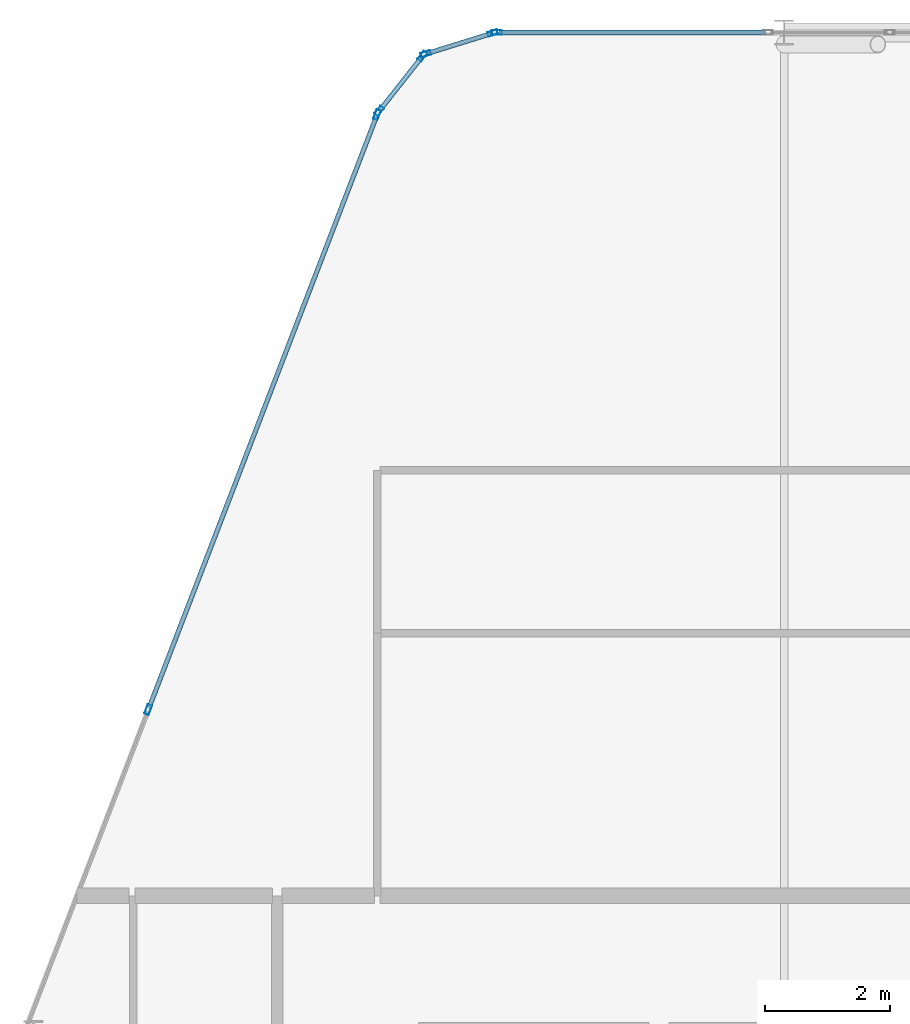
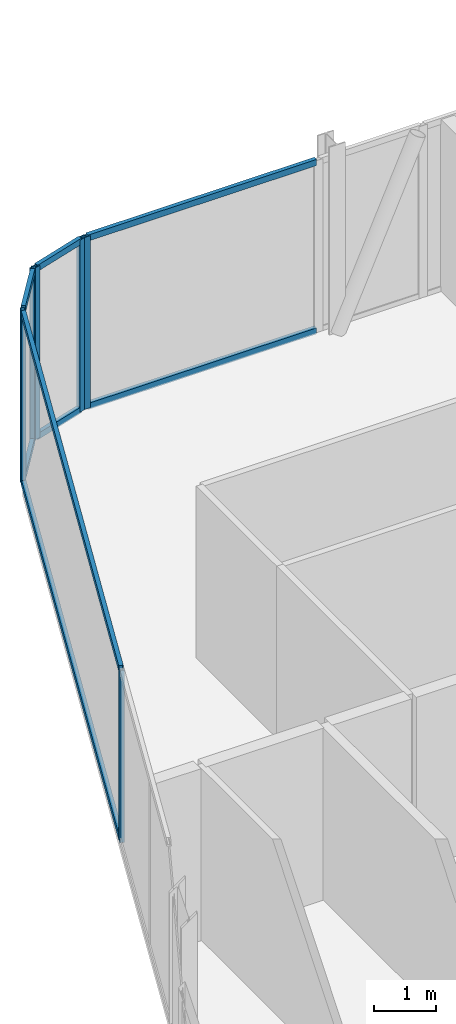
# One storey, part 15 of 27: 15 members, 4 elements without a shape of their own.
"""IFC4 building model written with IfcOpenShell, lengths in metres."""

import ifcopenshell
import ifcopenshell.guid

model = None  # the IFC model being written
_history = None  # IfcOwnerHistory: only IFC2X3 demands one
_inside = {}  # id of a spatial element -> (the spatial element, [elements in it])
_under = {}  # id of a project, library or spatial element -> (it, [spatial elements below it])
_declared = {}  # id of a project -> (the project, [libraries it declares])
_typed = {}  # id of a type object -> (the type object, [elements of that type])
_made_of = {}  # id of a material, layer set ... -> (it, [elements and type objects made of it])


def new_model(schema):
    """Start an empty IFC model of exactly this schema.

    Asked for "IFC4X3", IfcOpenShell would pick the latest addendum, in which some entities
    have other attributes; the version numbers below select the first issue.
    IFC2X3 requires an IfcOwnerHistory on every rooted entity: one is made here for all.
    """
    global model, _history
    if schema == "IFC4X3":
        model = ifcopenshell.file(schema_version=(4, 3, 0, 0))
    else:
        model = ifcopenshell.file(schema=schema)
    _inside.clear()
    _under.clear()
    _declared.clear()
    _typed.clear()
    _made_of.clear()
    _history = None
    if model.schema == "IFC2X3":
        org = make("IfcOrganization", Name="unknown")
        user = make(
            "IfcPersonAndOrganization",
            ThePerson=make("IfcPerson", FamilyName="unknown"),
            TheOrganization=org,
        )
        app = make(
            "IfcApplication",
            ApplicationDeveloper=org,
            Version="unknown",
            ApplicationFullName="unknown",
            ApplicationIdentifier="unknown",
        )
        _history = make(
            "IfcOwnerHistory",
            OwningUser=user,
            OwningApplication=app,
            ChangeAction="ADDED",
            CreationDate=0,
        )
    return model


def make(cls, **values):
    """One entity of the class cls with the attributes given. An attribute that is None is left unset."""
    return model.create_entity(
        cls, **{name: value for name, value in values.items() if value is not None}
    )


def rooted(cls, **values):
    """An entity with a GlobalId (a new one), such as an element, a storey or a relation."""
    return make(cls, GlobalId=ifcopenshell.guid.new(), OwnerHistory=_history, **values)


def si_unit(unit_type, name, prefix=None):
    """IfcSIUnit, for example si_unit("LENGTHUNIT", "METRE", prefix="MILLI")."""
    return make("IfcSIUnit", UnitType=unit_type, Prefix=prefix, Name=name)


def assignment(units):
    """IfcUnitAssignment: the units of a project."""
    return None if units is None else make("IfcUnitAssignment", Units=units)


def point(xyz):
    """IfcCartesianPoint."""
    return None if xyz is None else make("IfcCartesianPoint", Coordinates=xyz)


def direction(xyz):
    """IfcDirection."""
    return None if xyz is None else make("IfcDirection", DirectionRatios=xyz)


def frame(location, z_axis=None, x_axis=None):
    """IfcAxis2Placement3D, a coordinate frame: its origin and axes. An axis left out is left unset."""
    return make(
        "IfcAxis2Placement3D",
        Location=point(location),
        Axis=direction(z_axis),
        RefDirection=direction(x_axis),
    )


def frame_2d(location, x_axis=None):
    """IfcAxis2Placement2D, a coordinate frame in the plane: its origin and x axis."""
    return make(
        "IfcAxis2Placement2D", Location=point(location), RefDirection=direction(x_axis)
    )


def origin():
    """The frame at (0, 0, 0) with its axes left unset."""
    return frame((0.0, 0.0, 0.0))


def origin_2d():
    """The frame at (0, 0) in the plane with its x axis left unset."""
    return frame_2d((0.0, 0.0))


def place(relative_to, where):
    """IfcLocalPlacement: puts the frame where relative to a parent placement (None: the world)."""
    return make(
        "IfcLocalPlacement", PlacementRelTo=relative_to, RelativePlacement=where
    )


def context(
    kind, dimensions, precision=None, world=None, true_north=None, identifier=None
):
    """IfcGeometricRepresentationContext, for example the 3D "Model" context."""
    return make(
        "IfcGeometricRepresentationContext",
        ContextIdentifier=identifier,
        ContextType=kind,
        CoordinateSpaceDimension=dimensions,
        Precision=precision,
        WorldCoordinateSystem=world,
        TrueNorth=true_north,
    )


def subcontext(parent, identifier, kind, view, scale=None):
    """IfcGeometricRepresentationSubContext, for example "Body" below "Model"."""
    return make(
        "IfcGeometricRepresentationSubContext",
        ContextIdentifier=identifier,
        ContextType=kind,
        ParentContext=parent,
        TargetScale=scale,
        TargetView=view,
    )


def project(units=None, contexts=None):
    """IfcProject with its units and contexts."""
    return rooted(
        "IfcProject",
        Name="project",
        RepresentationContexts=contexts,
        UnitsInContext=assignment(units),
    )


def spatial(cls, under=None, at=None, **own):
    """A site, building, storey or space (cls), placed at a placement, below another one or the project."""
    s = rooted(cls, ObjectPlacement=at, **own)
    if under is not None:
        _under.setdefault(under.id(), (under, []))[1].append(s)
    return s


def profile(cls, at=None, kind="AREA", **sizes):
    """A parametric profile (cls). Its sizes go by their IFC names, for example OverallWidth=200.0."""
    return make(cls, ProfileType=kind, Position=at, **sizes)


def hollow_rectangle(**sizes):
    """IfcRectangleHollowProfileDef."""
    return profile("IfcRectangleHollowProfileDef", **sizes)


def extrude(swept, where, along, depth):
    """IfcExtrudedAreaSolid: the profile swept, set in the frame where, extruded along a direction by depth."""
    return make(
        "IfcExtrudedAreaSolid",
        SweptArea=swept,
        Position=where,
        ExtrudedDirection=direction(along),
        Depth=depth,
    )


def shape(context_of_items, identifier, shape_type, items):
    """IfcShapeRepresentation: the items that make up one representation, for example the "Body"."""
    return make(
        "IfcShapeRepresentation",
        ContextOfItems=context_of_items,
        RepresentationIdentifier=identifier,
        RepresentationType=shape_type,
        Items=items,
    )


def material(Name=None, Category=None):
    """IfcMaterial."""
    return make("IfcMaterial", Name=Name, Category=Category)


def layer(
    of_material, thickness, ventilated=None, Name=None, Category=None, Priority=None
):
    """IfcMaterialLayer: one layer of a wall or slab, of a material (None: an air gap)."""
    return make(
        "IfcMaterialLayer",
        Material=of_material,
        LayerThickness=thickness,
        IsVentilated=ventilated,
        Name=Name,
        Category=Category,
        Priority=Priority,
    )


def layer_set(layers, Name=None):
    """IfcMaterialLayerSet."""
    return make("IfcMaterialLayerSet", MaterialLayers=layers, LayerSetName=Name)


def material_profile(
    of_material, cross_section, Name=None, Category=None, Priority=None
):
    """IfcMaterialProfile: a cross section and its material."""
    return make(
        "IfcMaterialProfile",
        Name=Name,
        Material=of_material,
        Profile=cross_section,
        Priority=Priority,
        Category=Category,
    )


def profile_set(profiles, Name=None, composite=None):
    """IfcMaterialProfileSet."""
    return make(
        "IfcMaterialProfileSet",
        Name=Name,
        MaterialProfiles=profiles,
        CompositeProfile=composite,
    )


def made_of(thing, what):
    """Note that an element or type object is made of a material, layer set ...; save() writes the relation."""
    if what is not None:
        _made_of.setdefault(what.id(), (what, []))[1].append(thing)
    return thing


def type_object(cls, material=None, **own):
    """A type object (cls), such as IfcWallType, which elements share."""
    return made_of(rooted(cls, **own), material)


def element(
    cls,
    number,
    at=None,
    inside=None,
    cuts=None,
    type_object=None,
    material=None,
    context=None,
    identifier="Body",
    shape_type=None,
    held_by="IfcProductDefinitionShape",
    body=None,
    shapes=None,
    **own,
):
    """One element of the class cls, such as IfcWall. Its Tag is "e" and its number.

    at: its placement. inside: the storey or other place that contains it. cuts: it is an
    opening in that element (IfcRelVoidsElement). A single representation is given by context,
    identifier, shape_type and body (its items); several are given by shapes. held_by: the class
    of the entity that holds the representations. save() writes the other relations.
    """
    e = rooted(cls, Tag="e%d" % number, ObjectPlacement=at, **own)
    if body is not None:
        shapes = [shape(context, identifier, shape_type, body)]
    if shapes is not None:
        e.Representation = make(held_by, Representations=shapes)
    if inside is not None:
        _inside.setdefault(inside.id(), (inside, []))[1].append(e)
    if cuts is not None:
        rooted(
            "IfcRelVoidsElement", RelatingBuildingElement=cuts, RelatedOpeningElement=e
        )
    if type_object is not None:
        _typed.setdefault(type_object.id(), (type_object, []))[1].append(e)
    return made_of(e, material)


def aggregate(whole, parts):
    """IfcRelAggregates: a whole, such as a stair, and the parts it consists of."""
    return rooted("IfcRelAggregates", RelatingObject=whole, RelatedObjects=parts)


def save(model, path):
    """Write the relations noted so far, then the file.

    IfcRelAggregates (storeys below a building ...), IfcRelContainedInSpatialStructure (elements
    in a storey), IfcRelDefinesByType, IfcRelAssociatesMaterial and IfcRelDeclares: one each for
    every whole, place, type object, material and project.
    """
    for whole, parts in _under.values():
        aggregate(whole, parts)
    for where, things in _inside.values():
        rooted(
            "IfcRelContainedInSpatialStructure",
            RelatedElements=things,
            RelatingStructure=where,
        )
    for kind, things in _typed.values():
        rooted("IfcRelDefinesByType", RelatedObjects=things, RelatingType=kind)
    for what, things in _made_of.values():
        rooted("IfcRelAssociatesMaterial", RelatedObjects=things, RelatingMaterial=what)
    for by, libraries in _declared.values():
        rooted("IfcRelDeclares", RelatingContext=by, RelatedDefinitions=libraries)
    model.write(path)


model = new_model("IFC4")

# Units and contexts
model_context = context("Model", 3, precision=1e-05, world=origin(), true_north=direction((0.0, 1.0)))
body_context = subcontext(model_context, "Body", "Model", "MODEL_VIEW")
ifc_project = project(units=[si_unit("LENGTHUNIT", "METRE"), si_unit("AREAUNIT", "SQUARE_METRE"), si_unit("VOLUMEUNIT", "CUBIC_METRE"), si_unit("PLANEANGLEUNIT", "RADIAN"), si_unit("MASSUNIT", "GRAM", prefix="KILO")], contexts=[model_context])

# Site, building, storey
site_placement = place(None, origin())
site = spatial("IfcSite", under=ifc_project, at=site_placement, CompositionType="ELEMENT")
building_placement = place(site_placement, origin())
building = spatial("IfcBuilding", under=site, at=building_placement, Name="Keshet Zoharim Tower", CompositionType="ELEMENT")
storey_placement = place(building_placement, frame((0.0, 0.0, 307.300048828125)))
storey = spatial("IfcBuildingStorey", under=building, at=storey_placement, Name="L77", CompositionType="ELEMENT", Elevation=307.300048828125)

# Curtain wall, members
ifc_material = material(Name="Aluminium 6063-T6", Category="aluminium")
ifc_layer = layer(ifc_material, 0.260009765625)
ifc_layer_set = layer_set([ifc_layer], Name="Aluminium 6063-T6")
curtain_wall_type = type_object("IfcCurtainWallType", Name="CW-SYS-06", PredefinedType="NOTDEFINED", material=ifc_layer_set)
curtain_wall_1_placement = place(storey_placement, origin())
curtain_wall_1 = element("IfcCurtainWall", 1, at=curtain_wall_1_placement, inside=storey, type_object=curtain_wall_type, Name="L77 Unitised Curtain Wall 03", PredefinedType="NOTDEFINED")
ifc_material_profile_1 = material_profile(ifc_material, hollow_rectangle(XDim=0.074951171875, YDim=0.159912109375, WallThickness=0.00390625, at=origin_2d()), Name="MUL-75x160")
ifc_profile_set_1 = profile_set([ifc_material_profile_1], Name="Aluminium 6063-T6")
member_type_1 = type_object("IfcMemberType", Name="CWM-M15", PredefinedType="MULLION", material=ifc_profile_set_1)
member_1_placement = place(storey_placement, frame((10.8369140625, 43.076416015625, 0.0), z_axis=(0.0, 0.0, 1.0), x_axis=(-0.933341404361, 0.358990003907, 0.0)))
member_1 = element("IfcMember", 2, at=member_1_placement, type_object=member_type_1, Name="CW-06 mullion 3", PredefinedType="MULLION", context=body_context, shape_type="SweptSolid", body=[
    extrude(hollow_rectangle(XDim=0.074951171875, YDim=0.159912109375, WallThickness=0.00390625, at=origin_2d()), origin(), (0.0, 0.0, 1.0), 3.389892578125),
])
member_2_placement = place(storey_placement, frame((14.494384765625, 52.58544921875, 0.0), z_axis=(0.0, 0.0, 1.0), x_axis=(-0.933341404361, 0.358990003907, 0.0)))
member_2 = element("IfcMember", 3, at=member_2_placement, type_object=member_type_1, Name="CW-06 mullion 4", PredefinedType="MULLION", context=body_context, shape_type="SweptSolid", body=[
    extrude(hollow_rectangle(XDim=0.074951171875, YDim=0.159912109375, WallThickness=0.00390625, at=origin_2d()), origin(), (0.0, 0.0, 1.0), 3.389892578125),
])

curtain_wall_2_placement = place(storey_placement, origin())
curtain_wall_2 = element("IfcCurtainWall", 4, at=curtain_wall_2_placement, inside=storey, type_object=curtain_wall_type, Name="L77 Unitised Curtain Wall 04", PredefinedType="NOTDEFINED")
member_3_placement = place(storey_placement, frame((14.528564453125, 52.6455078125, 0.0), z_axis=(0.0, 0.0, 1.0), x_axis=(-0.785292825205, 0.619124525989, 0.0)))
member_3 = element("IfcMember", 5, at=member_3_placement, type_object=member_type_1, Name="CW-06 mullion 1", PredefinedType="MULLION", context=body_context, shape_type="SweptSolid", body=[
    extrude(hollow_rectangle(XDim=0.074951171875, YDim=0.159912109375, WallThickness=0.00390625, at=origin_2d()), origin(), (0.0, 0.0, 1.0), 3.389892578125),
])
member_4_placement = place(storey_placement, frame((15.21923828125, 53.521484375, 0.0), z_axis=(0.0, 0.0, 1.0), x_axis=(-0.785292825205, 0.619124525989, 0.0)))
member_4 = element("IfcMember", 6, at=member_4_placement, type_object=member_type_1, Name="CW-06 mullion 2", PredefinedType="MULLION", context=body_context, shape_type="SweptSolid", body=[
    extrude(hollow_rectangle(XDim=0.074951171875, YDim=0.159912109375, WallThickness=0.00390625, at=origin_2d()), origin(), (0.0, 0.0, 1.0), 3.389892578125),
])

curtain_wall_3_placement = place(storey_placement, origin())
curtain_wall_3 = element("IfcCurtainWall", 7, at=curtain_wall_3_placement, inside=storey, type_object=curtain_wall_type, Name="L77 Unitised Curtain Wall 05", PredefinedType="NOTDEFINED")
member_5_placement = place(storey_placement, frame((15.2744140625, 53.559326171875, 0.0), z_axis=(0.0, 0.0, 1.0), x_axis=(-0.295921857984, 0.955212151288, 0.0)))
member_5 = element("IfcMember", 8, at=member_5_placement, type_object=member_type_1, Name="CW-06 mullion 1", PredefinedType="MULLION", context=body_context, shape_type="SweptSolid", body=[
    extrude(hollow_rectangle(XDim=0.074951171875, YDim=0.159912109375, WallThickness=0.00390625, at=origin_2d()), origin(), (0.0, 0.0, 1.0), 3.389892578125),
])
member_6_placement = place(storey_placement, frame((16.340576171875, 53.8896484375, 0.0), z_axis=(0.0, 0.0, 1.0), x_axis=(-0.295921857984, 0.955212151288, 0.0)))
member_6 = element("IfcMember", 9, at=member_6_placement, type_object=member_type_1, Name="CW-06 mullion 2", PredefinedType="MULLION", context=body_context, shape_type="SweptSolid", body=[
    extrude(hollow_rectangle(XDim=0.074951171875, YDim=0.159912109375, WallThickness=0.00390625, at=origin_2d()), origin(), (0.0, 0.0, 1.0), 3.389892578125),
])

# Curtain wall, member
curtain_wall_4_placement = place(storey_placement, origin())
curtain_wall_4 = element("IfcCurtainWall", 10, at=curtain_wall_4_placement, inside=storey, type_object=curtain_wall_type, Name="L77 Unitised Curtain Wall 06", PredefinedType="NOTDEFINED")
member_7_placement = place(storey_placement, frame((16.408935546875, 53.89990234375, 0.0), z_axis=(0.0, 0.0, 1.0), x_axis=(0.0, 1.0, 0.0)))
member_7 = element("IfcMember", 11, at=member_7_placement, type_object=member_type_1, Name="CW-06 mullion 1", PredefinedType="MULLION", context=body_context, shape_type="SweptSolid", body=[
    extrude(hollow_rectangle(XDim=0.074951171875, YDim=0.159912109375, WallThickness=0.00390625, at=origin_2d()), origin(), (0.0, 0.0, 1.0), 3.389892578125),
])

# Member
ifc_material_profile_2 = material_profile(ifc_material, hollow_rectangle(XDim=0.074951171875, YDim=0.1201171875, WallThickness=0.00390625, at=origin_2d()), Name="TRN-75x120")
ifc_profile_set_2 = profile_set([ifc_material_profile_2], Name="Aluminium 6063-T6")
member_type_2 = type_object("IfcMemberType", Name="CWT-T12", PredefinedType="USERDEFINED", material=ifc_profile_set_2)
member_8_placement = place(storey_placement, frame((10.849609375, 43.10888671875, 0.034912109375), z_axis=(0.358985546764, 0.933343118694, 0.0), x_axis=(-0.933343118694, 0.358985546764, 0.0)))
member_8 = element("IfcMember", 12, at=member_8_placement, type_object=member_type_2, Name="CW-06 transom 3.1", ObjectType="TRANSOM", PredefinedType="USERDEFINED", context=body_context, shape_type="SweptSolid", body=[
    extrude(hollow_rectangle(XDim=0.074951171875, YDim=0.1201171875, WallThickness=0.00390625, at=origin_2d()), origin(), (0.0, 0.0, 1.0), 10.118408203125),
])

member_9_placement = place(storey_placement, frame((10.849609375, 43.10888671875, 3.35498046875), z_axis=(0.358985546764, 0.933343118694, 0.0), x_axis=(-0.933343118694, 0.358985546764, 0.0)))
member_9 = element("IfcMember", 13, at=member_9_placement, type_object=member_type_2, Name="CW-06 transom 3.2", ObjectType="TRANSOM", PredefinedType="USERDEFINED", context=body_context, shape_type="SweptSolid", body=[
    extrude(hollow_rectangle(XDim=0.074951171875, YDim=0.1201171875, WallThickness=0.00390625, at=origin_2d()), origin(), (0.0, 0.0, 1.0), 10.118408203125),
])

aggregate(curtain_wall_1, [member_1, member_2, member_8, member_9])

member_10_placement = place(storey_placement, frame((14.55029296875, 52.6728515625, 0.034912109375), z_axis=(0.619099165969, 0.78531281837, 0.0), x_axis=(-0.78531281837, 0.619099165969, 0.0)))
member_10 = element("IfcMember", 14, at=member_10_placement, type_object=member_type_2, Name="CW-06 transom 1.1", ObjectType="TRANSOM", PredefinedType="USERDEFINED", context=body_context, shape_type="SweptSolid", body=[
    extrude(hollow_rectangle(XDim=0.074951171875, YDim=0.1201171875, WallThickness=0.00390625, at=origin_2d()), origin(), (0.0, 0.0, 1.0), 1.0458984375),
])

member_11_placement = place(storey_placement, frame((14.55029296875, 52.6728515625, 3.35498046875), z_axis=(0.619099165969, 0.78531281837, 0.0), x_axis=(-0.78531281837, 0.619099165969, 0.0)))
member_11 = element("IfcMember", 15, at=member_11_placement, type_object=member_type_2, Name="CW-06 transom 1.2", ObjectType="TRANSOM", PredefinedType="USERDEFINED", context=body_context, shape_type="SweptSolid", body=[
    extrude(hollow_rectangle(XDim=0.074951171875, YDim=0.1201171875, WallThickness=0.00390625, at=origin_2d()), origin(), (0.0, 0.0, 1.0), 1.0458984375),
])

aggregate(curtain_wall_2, [member_3, member_4, member_10, member_11])

member_12_placement = place(storey_placement, frame((15.307861328125, 53.56982421875, 0.034912109375), z_axis=(0.955212093062, 0.295922045933, 0.0), x_axis=(-0.295922045933, 0.955212093062, 0.0)))
member_12 = element("IfcMember", 16, at=member_12_placement, type_object=member_type_2, Name="CW-06 transom 1.1", ObjectType="TRANSOM", PredefinedType="USERDEFINED", context=body_context, shape_type="SweptSolid", body=[
    extrude(hollow_rectangle(XDim=0.074951171875, YDim=0.1201171875, WallThickness=0.00390625, at=origin_2d()), origin(), (0.0, 0.0, 1.0), 1.046142578125),
])

member_13_placement = place(storey_placement, frame((15.307861328125, 53.56982421875, 3.35498046875), z_axis=(0.955212093062, 0.295922045933, 0.0), x_axis=(-0.295922045933, 0.955212093062, 0.0)))
member_13 = element("IfcMember", 17, at=member_13_placement, type_object=member_type_2, Name="CW-06 transom 1.2", ObjectType="TRANSOM", PredefinedType="USERDEFINED", context=body_context, shape_type="SweptSolid", body=[
    extrude(hollow_rectangle(XDim=0.074951171875, YDim=0.1201171875, WallThickness=0.00390625, at=origin_2d()), origin(), (0.0, 0.0, 1.0), 1.046142578125),
])

aggregate(curtain_wall_3, [member_5, member_6, member_12, member_13])

member_14_placement = place(storey_placement, frame((16.444091796875, 53.89990234375, 0.034912109375), z_axis=(1.0, 0.0, 0.0), x_axis=(0.0, 1.0, 0.0)))
member_14 = element("IfcMember", 18, at=member_14_placement, type_object=member_type_2, Name="CW-06 transom 1.1", ObjectType="TRANSOM", PredefinedType="USERDEFINED", context=body_context, shape_type="SweptSolid", body=[
    extrude(hollow_rectangle(XDim=0.074951171875, YDim=0.1201171875, WallThickness=0.00390625, at=origin_2d()), origin(), (0.0, 0.0, 1.0), 4.260986328125),
])

member_15_placement = place(storey_placement, frame((16.444091796875, 53.89990234375, 3.35498046875), z_axis=(1.0, 0.0, 0.0), x_axis=(0.0, 1.0, 0.0)))
member_15 = element("IfcMember", 19, at=member_15_placement, type_object=member_type_2, Name="CW-06 transom 1.2", ObjectType="TRANSOM", PredefinedType="USERDEFINED", context=body_context, shape_type="SweptSolid", body=[
    extrude(hollow_rectangle(XDim=0.074951171875, YDim=0.1201171875, WallThickness=0.00390625, at=origin_2d()), origin(), (0.0, 0.0, 1.0), 4.260986328125),
])

aggregate(curtain_wall_4, [member_7, member_14, member_15])

save(model, "model.ifc")
